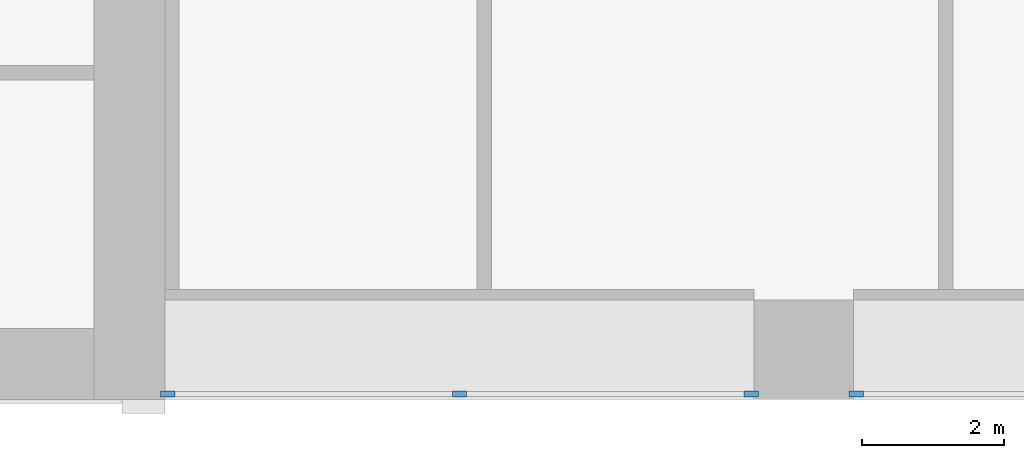
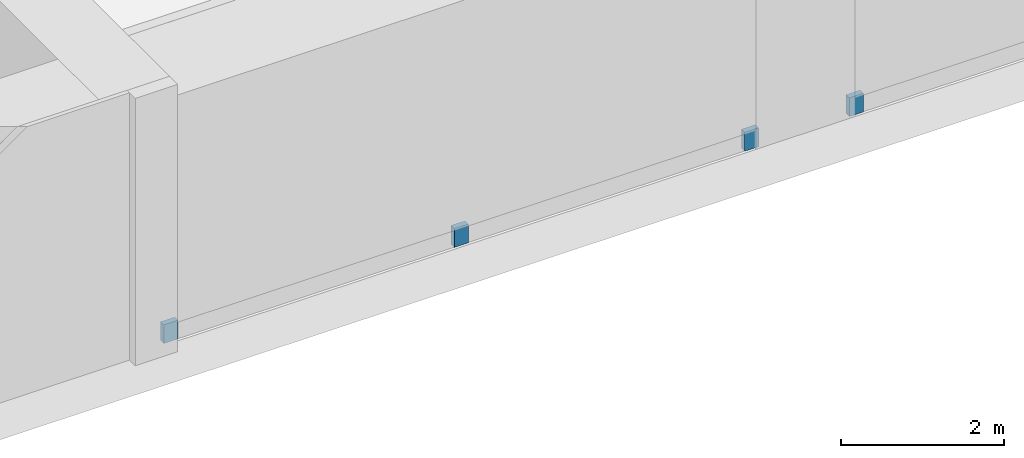
# One storey, part 13 of 24: 4 members, 2 elements without a shape of their own.
"""IFC4 building model written with IfcOpenShell, lengths in metres."""

from ifc_helpers import new_model, si_unit, direction, frame, origin, origin_2d, place, context, subcontext, project, spatial, rectangle, extrude, material, layer, layer_set, material_profile, profile_set, type_object, element, aggregate, save


model = new_model("IFC4")

# Units and contexts
model_context = context("Model", 3, precision=1e-05, world=origin(), true_north=direction((0.0, 1.0)))
body_context = subcontext(model_context, "Body", "Model", "MODEL_VIEW")
ifc_project = project(units=[si_unit("LENGTHUNIT", "METRE"), si_unit("AREAUNIT", "SQUARE_METRE"), si_unit("VOLUMEUNIT", "CUBIC_METRE"), si_unit("PLANEANGLEUNIT", "RADIAN"), si_unit("MASSUNIT", "GRAM", prefix="KILO")], contexts=[model_context])

# Site, building, storey
site_placement = place(None, origin())
site = spatial("IfcSite", under=ifc_project, at=site_placement, CompositionType="ELEMENT")
building_placement = place(site_placement, origin())
building = spatial("IfcBuilding", under=site, at=building_placement, Name="Brigalow Station Residences", CompositionType="ELEMENT")
storey_placement = place(building_placement, frame((0.0, 0.0, 15.5)))
storey = spatial("IfcBuildingStorey", under=building, at=storey_placement, Name="L03", CompositionType="ELEMENT", Elevation=15.5)

# Curtain wall, members
ifc_material_1 = material(Name="Aluminium", Category="aluminium")
ifc_layer = layer(ifc_material_1, 0.199951171875)
ifc_layer_set = layer_set([ifc_layer], Name="REFUGE FLOOR LOUVRE CURTAIN WALL")
curtain_wall_type = type_object("IfcCurtainWallType", Name="REFUGE FLOOR LOUVRE CURTAIN WALL", PredefinedType="NOTDEFINED", material=ifc_layer_set)
curtain_wall_1_placement = place(storey_placement, origin())
curtain_wall_1 = element("IfcCurtainWall", 1, at=curtain_wall_1_placement, inside=storey, type_object=curtain_wall_type, Name="L03/cw/louvre-slot-W-L03-5-2", PredefinedType="NOTDEFINED")
ifc_material_2 = material(Name="Aluminium", Category="aluminium")
ifc_material_profile = material_profile(ifc_material_2, rectangle(XDim=0.080078125, YDim=0.199951171875, at=origin_2d()), Name="REFUGE FLOOR LOUVRE MULLION 80x200")
ifc_profile_set = profile_set([ifc_material_profile], Name="Aluminium")
member_type = type_object("IfcMemberType", Name="REFUGE FLOOR LOUVRE MULLION 80x200", PredefinedType="MULLION", material=ifc_profile_set)
member_1_placement = place(storey_placement, frame((54.0400390625, 0.074951171875, 0.0), z_axis=(0.0, 0.0, 1.0), x_axis=(0.0, 1.0, 0.0)))
member_1 = element("IfcMember", 2, at=member_1_placement, type_object=member_type, Name="L03/cw/louvre-slot-W-L03-5-2/M00", PredefinedType="MULLION", context=body_context, shape_type="SweptSolid", body=[
    extrude(rectangle(XDim=0.080078125, YDim=0.199951171875, at=origin_2d()), origin(), (0.0, 0.0, 1.0), 0.280029296875),
])
member_2_placement = place(storey_placement, frame((58.14990234375, 0.074951171875, 0.0), z_axis=(0.0, 0.0, 1.0), x_axis=(0.0, 1.0, 0.0)))
member_2 = element("IfcMember", 3, at=member_2_placement, type_object=member_type, Name="L03/cw/louvre-slot-W-L03-5-2/M01", PredefinedType="MULLION", context=body_context, shape_type="SweptSolid", body=[
    extrude(rectangle(XDim=0.080078125, YDim=0.199951171875, at=origin_2d()), origin(), (0.0, 0.0, 1.0), 0.280029296875),
])
member_3_placement = place(storey_placement, frame((62.260009765625, 0.074951171875, 0.0), z_axis=(0.0, 0.0, 1.0), x_axis=(0.0, 1.0, 0.0)))
member_3 = element("IfcMember", 4, at=member_3_placement, type_object=member_type, Name="L03/cw/louvre-slot-W-L03-5-2/M02", PredefinedType="MULLION", context=body_context, shape_type="SweptSolid", body=[
    extrude(rectangle(XDim=0.080078125, YDim=0.199951171875, at=origin_2d()), origin(), (0.0, 0.0, 1.0), 0.280029296875),
])
aggregate(curtain_wall_1, [member_1, member_2, member_3])

# Curtain wall, member
curtain_wall_2_placement = place(storey_placement, origin())
curtain_wall_2 = element("IfcCurtainWall", 5, at=curtain_wall_2_placement, inside=storey, type_object=curtain_wall_type, Name="L03/cw/louvre-slot-W-L03-5-3", PredefinedType="NOTDEFINED")
member_4_placement = place(storey_placement, frame((63.739990234375, 0.074951171875, 0.0), z_axis=(0.0, 0.0, 1.0), x_axis=(0.0, 1.0, 0.0)))
member_4 = element("IfcMember", 6, at=member_4_placement, type_object=member_type, Name="L03/cw/louvre-slot-W-L03-5-3/M00", PredefinedType="MULLION", context=body_context, shape_type="SweptSolid", body=[
    extrude(rectangle(XDim=0.080078125, YDim=0.199951171875, at=origin_2d()), origin(), (0.0, 0.0, 1.0), 0.280029296875),
])
aggregate(curtain_wall_2, [member_4])

save(model, "model.ifc")
